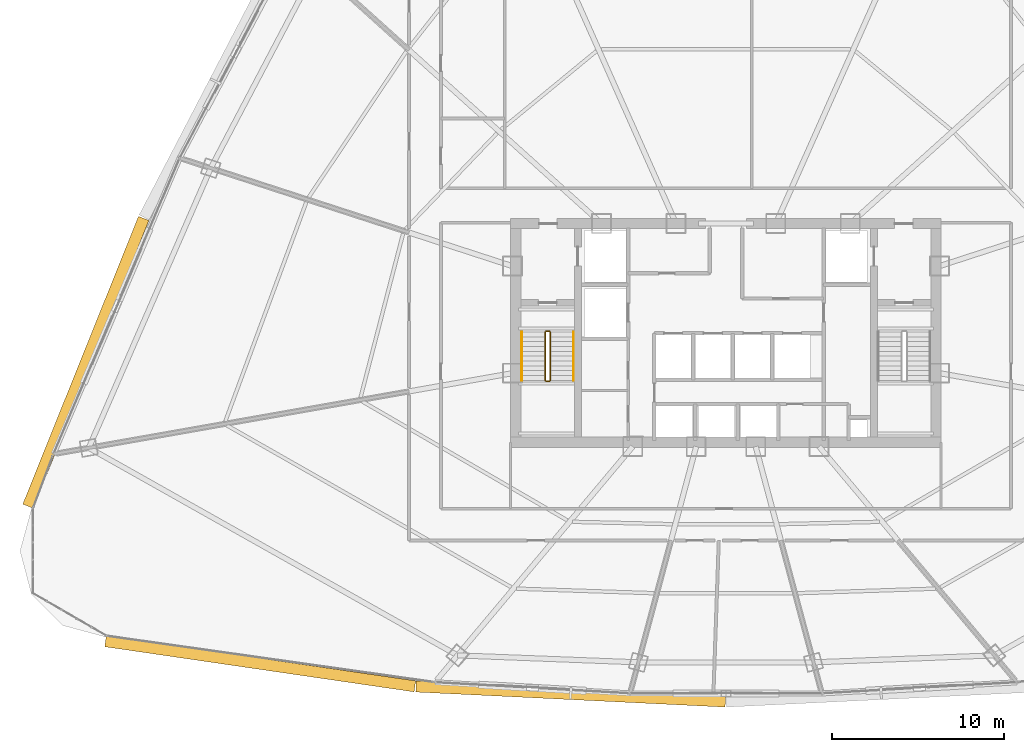
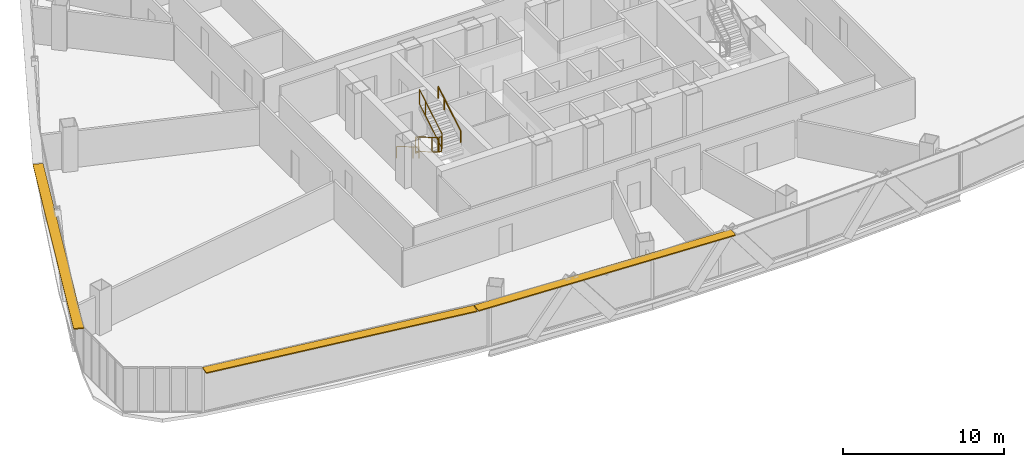
# One storey, part 39 of 42: 6 railings, 3 shading devices.
"""IFC4 building model written with IfcOpenShell, lengths in metres."""

from ifc_helpers import new_model, si_unit, direction, frame, origin, origin_2d, place, context, subcontext, project, spatial, rectangle, extrude, source, transform, mapped, material, layer, layer_set, type_object, element, save


model = new_model("IFC4")

# Units and contexts
model_context = context("Model", 3, precision=1e-05, world=origin(), true_north=direction((0.0, 1.0)))
body_context = subcontext(model_context, "Body", "Model", "MODEL_VIEW")
ifc_project = project(units=[si_unit("LENGTHUNIT", "METRE"), si_unit("AREAUNIT", "SQUARE_METRE"), si_unit("VOLUMEUNIT", "CUBIC_METRE"), si_unit("PLANEANGLEUNIT", "RADIAN"), si_unit("MASSUNIT", "GRAM", prefix="KILO"), si_unit("THERMODYNAMICTEMPERATUREUNIT", "KELVIN"), si_unit("POWERUNIT", "WATT")], contexts=[model_context])

# Site, building, storey
site_placement = place(None, origin())
site = spatial("IfcSite", under=ifc_project, at=site_placement, CompositionType="ELEMENT")
building_placement = place(site_placement, origin())
building = spatial("IfcBuilding", under=site, at=building_placement, Name="Yunzhuo Pagoda Commons", CompositionType="ELEMENT")
storey_placement = place(building_placement, frame((0.0, 0.0, 133.510009765625)))
storey = spatial("IfcBuildingStorey", under=building, at=storey_placement, Name="L33", CompositionType="ELEMENT", Elevation=133.510009765625)

# Railings
ifc_material = material(Name="Anodized aluminium 6063-T6", Category="aluminium")
railing_type_1 = type_object("IfcRailingType", Name="GR-ST1 Stair Well Guardrail 1150", PredefinedType="GUARDRAIL", material=ifc_material)
railing_1_placement = place(storey_placement, frame((37.5, 33.89990234375, 0.167236328125)))
element("IfcRailing", 1, at=railing_1_placement, inside=storey, type_object=railing_type_1, Name="L33 ST1 stair guard 1", PredefinedType="GUARDRAIL", context=body_context, shape_type="SweptSolid", body=[
    extrude(rectangle(XDim=0.048095703125, YDim=0.048095703125, at=origin_2d()), frame((0.0, 0.0, 1.1259765625), z_axis=(0.0, -0.858442565357, 0.512909701589), x_axis=(1.0, 0.0, 0.0)), (0.0, 0.0, 1.0), 3.261474609375),
    extrude(rectangle(XDim=0.048095703125, YDim=0.048095703125, at=origin_2d()), frame((0.0, 0.0, 0.02392578125), z_axis=(0.0, -0.858442565357, 0.512909701589), x_axis=(1.0, 0.0, 0.0)), (0.0, 0.0, 1.0), 3.261474609375),
    extrude(rectangle(XDim=0.0419921875, YDim=0.0419921875, at=origin_2d()), origin(), (0.0, 0.0, 1.0), 1.101806640625),
    extrude(rectangle(XDim=0.0419921875, YDim=0.0419921875, at=origin_2d()), frame((0.0, -2.060302734375, 1.23095703125)), (0.0, 0.0, 1.0), 1.101806640625),
    extrude(rectangle(XDim=0.0419921875, YDim=0.0419921875, at=origin_2d()), frame((0.0, -2.7998046875, 1.6728515625)), (0.0, 0.0, 1.0), 1.101806640625),
])
railing_2_placement = place(storey_placement, frame((37.550048828125, 31.050048828125, 1.840087890625)))
element("IfcRailing", 2, at=railing_2_placement, inside=storey, type_object=railing_type_1, Name="L33 ST1 stair guard 2", PredefinedType="GUARDRAIL", context=body_context, shape_type="SweptSolid", body=[
    extrude(rectangle(XDim=0.048095703125, YDim=0.048095703125, at=origin_2d()), frame((0.0, 0.0, 1.1259765625), z_axis=(1.0, 0.0, 0.0), x_axis=(0.0, 1.0, 0.0)), (0.0, 0.0, 1.0), 0.199951171875),
    extrude(rectangle(XDim=0.048095703125, YDim=0.048095703125, at=origin_2d()), frame((0.0, 0.0, 0.02392578125), z_axis=(1.0, 0.0, 0.0), x_axis=(0.0, 1.0, 0.0)), (0.0, 0.0, 1.0), 0.199951171875),
    extrude(rectangle(XDim=0.0419921875, YDim=0.0419921875, at=origin_2d()), origin(), (0.0, 0.0, 1.0), 1.101806640625),
    extrude(rectangle(XDim=0.0419921875, YDim=0.0419921875, at=origin_2d()), frame((0.199951171875, 0.0, 0.0)), (0.0, 0.0, 1.0), 1.101806640625),
])
railing_3_placement = place(storey_placement, frame((37.800048828125, 31.10009765625, 2.00732421875)))
element("IfcRailing", 3, at=railing_3_placement, inside=storey, type_object=railing_type_1, Name="L33 ST1 stair guard 3", PredefinedType="GUARDRAIL", context=body_context, shape_type="SweptSolid", body=[
    extrude(rectangle(XDim=0.048095703125, YDim=0.048095703125, at=origin_2d()), frame((0.0, 0.0, 1.1259765625), z_axis=(0.0, 0.858475523978, 0.512854535645), x_axis=(-1.0, 0.0, 0.0)), (0.0, 0.0, 1.0), 3.261474609375),
    extrude(rectangle(XDim=0.048095703125, YDim=0.048095703125, at=origin_2d()), frame((0.0, 0.0, 0.02392578125), z_axis=(0.0, 0.858475523978, 0.512854535645), x_axis=(-1.0, 0.0, 0.0)), (0.0, 0.0, 1.0), 3.261474609375),
    extrude(rectangle(XDim=0.0419921875, YDim=0.0419921875, at=origin_2d()), origin(), (0.0, 0.0, 1.0), 1.101806640625),
    extrude(rectangle(XDim=0.0419921875, YDim=0.0419921875, at=origin_2d()), frame((0.0, 2.060302734375, 1.23095703125)), (0.0, 0.0, 1.0), 1.101806640625),
    extrude(rectangle(XDim=0.0419921875, YDim=0.0419921875, at=origin_2d()), frame((0.0, 2.7998046875, 1.672607421875)), (0.0, 0.0, 1.0), 1.101806640625),
])
railing_4_placement = place(storey_placement, frame((37.550048828125, 33.949951171875, 0.0)))
element("IfcRailing", 4, at=railing_4_placement, inside=storey, type_object=railing_type_1, Name="L33 ST1 stair guard 4", PredefinedType="GUARDRAIL", context=body_context, shape_type="SweptSolid", body=[
    extrude(rectangle(XDim=0.048095703125, YDim=0.048095703125, at=origin_2d()), frame((0.0, 0.0, 1.1259765625), z_axis=(1.0, 0.0, 0.0), x_axis=(0.0, 1.0, 0.0)), (0.0, 0.0, 1.0), 0.199951171875),
    extrude(rectangle(XDim=0.048095703125, YDim=0.048095703125, at=origin_2d()), frame((0.0, 0.0, 0.02392578125), z_axis=(1.0, 0.0, 0.0), x_axis=(0.0, 1.0, 0.0)), (0.0, 0.0, 1.0), 0.199951171875),
    extrude(rectangle(XDim=0.0419921875, YDim=0.0419921875, at=origin_2d()), origin(), (0.0, 0.0, 1.0), 1.101806640625),
    extrude(rectangle(XDim=0.0419921875, YDim=0.0419921875, at=origin_2d()), frame((0.199951171875, 0.0, 0.0)), (0.0, 0.0, 1.0), 1.101806640625),
])
railing_type_2 = type_object("IfcRailingType", Name="HR-ST1 Stair Handrail 900", PredefinedType="HANDRAIL", material=ifc_material)
railing_5_placement = place(storey_placement, frame((36.14990234375, 33.89990234375, 0.167236328125)))
element("IfcRailing", 5, at=railing_5_placement, inside=storey, type_object=railing_type_2, Name="L33 ST1 stair handrail 1", PredefinedType="HANDRAIL", context=body_context, shape_type="SweptSolid", body=[
    extrude(rectangle(XDim=0.048095703125, YDim=0.048095703125, at=origin_2d()), frame((0.0, 0.0, 0.8759765625), z_axis=(0.0, -0.858442565357, 0.512909701589), x_axis=(1.0, 0.0, 0.0)), (0.0, 0.0, 1.0), 3.261474609375),
    extrude(rectangle(XDim=0.0419921875, YDim=0.0419921875, at=origin_2d()), origin(), (0.0, 0.0, 1.0), 0.851806640625),
    extrude(rectangle(XDim=0.0419921875, YDim=0.0419921875, at=origin_2d()), frame((0.0, -2.060302734375, 1.23095703125)), (0.0, 0.0, 1.0), 0.851806640625),
    extrude(rectangle(XDim=0.0419921875, YDim=0.0419921875, at=origin_2d()), frame((0.0, -2.7998046875, 1.6728515625)), (0.0, 0.0, 1.0), 0.851806640625),
])
railing_6_placement = place(storey_placement, frame((39.14990234375, 31.10009765625, 2.00732421875)))
element("IfcRailing", 6, at=railing_6_placement, inside=storey, type_object=railing_type_2, Name="L33 ST1 stair handrail 2", PredefinedType="HANDRAIL", context=body_context, shape_type="SweptSolid", body=[
    extrude(rectangle(XDim=0.048095703125, YDim=0.048095703125, at=origin_2d()), frame((0.0, 0.0, 0.8759765625), z_axis=(0.0, 0.858475523978, 0.512854535645), x_axis=(-1.0, 0.0, 0.0)), (0.0, 0.0, 1.0), 3.261474609375),
    extrude(rectangle(XDim=0.0419921875, YDim=0.0419921875, at=origin_2d()), origin(), (0.0, 0.0, 1.0), 0.851806640625),
    extrude(rectangle(XDim=0.0419921875, YDim=0.0419921875, at=origin_2d()), frame((0.0, 2.060302734375, 1.23095703125)), (0.0, 0.0, 1.0), 0.851806640625),
    extrude(rectangle(XDim=0.0419921875, YDim=0.0419921875, at=origin_2d()), frame((0.0, 2.7998046875, 1.672607421875)), (0.0, 0.0, 1.0), 0.851806640625),
])

# Shading devices
ifc_layer = layer(ifc_material, 0.080078125)
ifc_layer_set = layer_set([ifc_layer], Name="Anodized aluminium 6063-T6")
shading_device_type = type_object("IfcShadingDeviceType", Name="SH-SUN1 Pagoda Horizontal Sunshade Eave 650", PredefinedType="USERDEFINED", material=ifc_layer_set)
shared_shape_1 = source(origin(), body_context, "Body", "SweptSolid", [
    extrude(rectangle(XDim=18.156982421875, YDim=0.64990234375, at=origin_2d()), origin(), (0.0, 0.0, 1.0), 0.080078125),
])
shading_device_1_placement = place(storey_placement, frame((20.956298828125, 14.6376953125, 3.33984375), z_axis=(0.0, 0.0, 1.0), x_axis=(0.989510666697, -0.144459823108, 0.0)))
element("IfcShadingDevice", 7, at=shading_device_1_placement, inside=storey, type_object=shading_device_type, Name="L33 horizontal pagoda sunshade eave F1.1", ObjectType="SUNSHADE", PredefinedType="USERDEFINED", context=body_context, shape_type="MappedRepresentation", body=[
    mapped(shared_shape_1, transform((0.0, 0.0, 0.0), scale=1.0)),
])
shared_shape_2 = source(origin(), body_context, "Body", "SweptSolid", [
    extrude(rectangle(XDim=17.9873046875, YDim=0.64990234375, at=origin_2d()), origin(), (0.0, 0.0, 1.0), 0.080078125),
])
shading_device_2_placement = place(storey_placement, frame((38.9853515625, 12.88330078125, 3.33984375), z_axis=(0.0, 0.0, 1.0), x_axis=(0.998818043775, -0.04860571396, 0.0)))
element("IfcShadingDevice", 8, at=shading_device_2_placement, inside=storey, type_object=shading_device_type, Name="L33 horizontal pagoda sunshade eave F1.2", ObjectType="SUNSHADE", PredefinedType="USERDEFINED", context=body_context, shape_type="MappedRepresentation", body=[
    mapped(shared_shape_2, transform((0.0, 0.0, 0.0), scale=1.0)),
])
shared_shape_3 = source(origin(), body_context, "Body", "SweptSolid", [
    extrude(rectangle(XDim=18.010986328125, YDim=0.64990234375, at=origin_2d()), origin(), (0.0, 0.0, 1.0), 0.080078125),
])
shading_device_3_placement = place(storey_placement, frame((10.830322265625, 32.144775390625, 3.33984375), z_axis=(0.0, 0.0, 1.0), x_axis=(-0.372987782576, -0.927836253899, 0.0)))
element("IfcShadingDevice", 9, at=shading_device_3_placement, inside=storey, type_object=shading_device_type, Name="L33 horizontal pagoda sunshade eave F3.4", ObjectType="SUNSHADE", PredefinedType="USERDEFINED", context=body_context, shape_type="MappedRepresentation", body=[
    mapped(shared_shape_3, transform((0.0, 0.0, 0.0), scale=1.0)),
])

save(model, "model.ifc")
